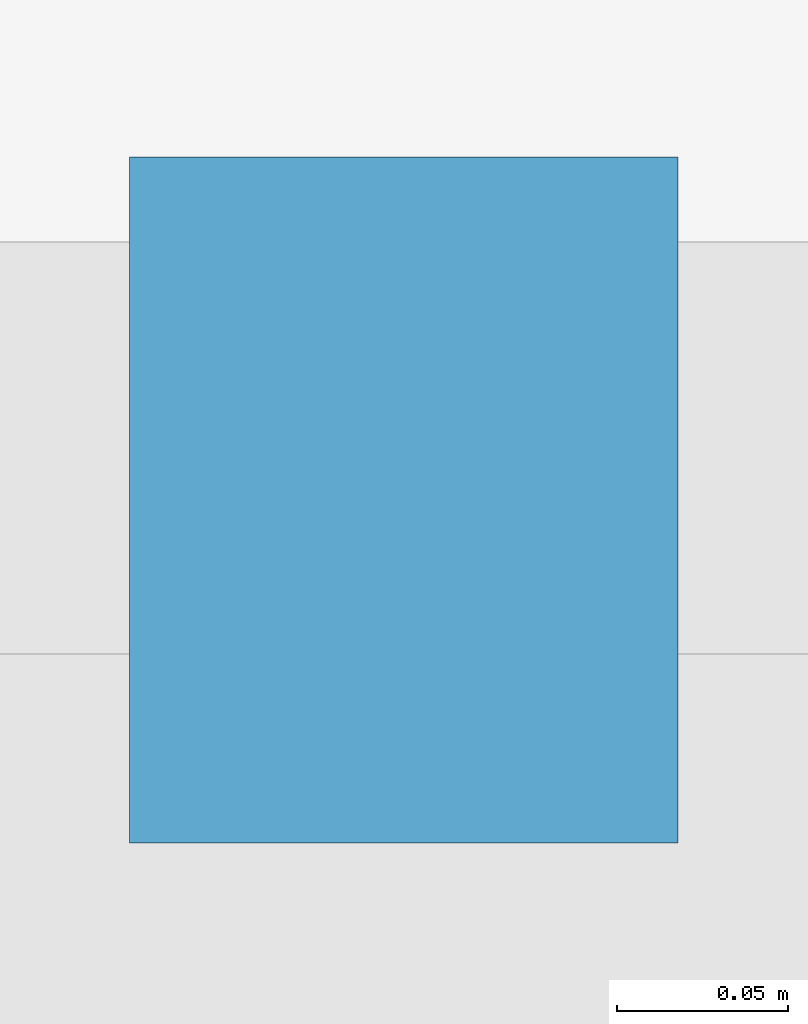
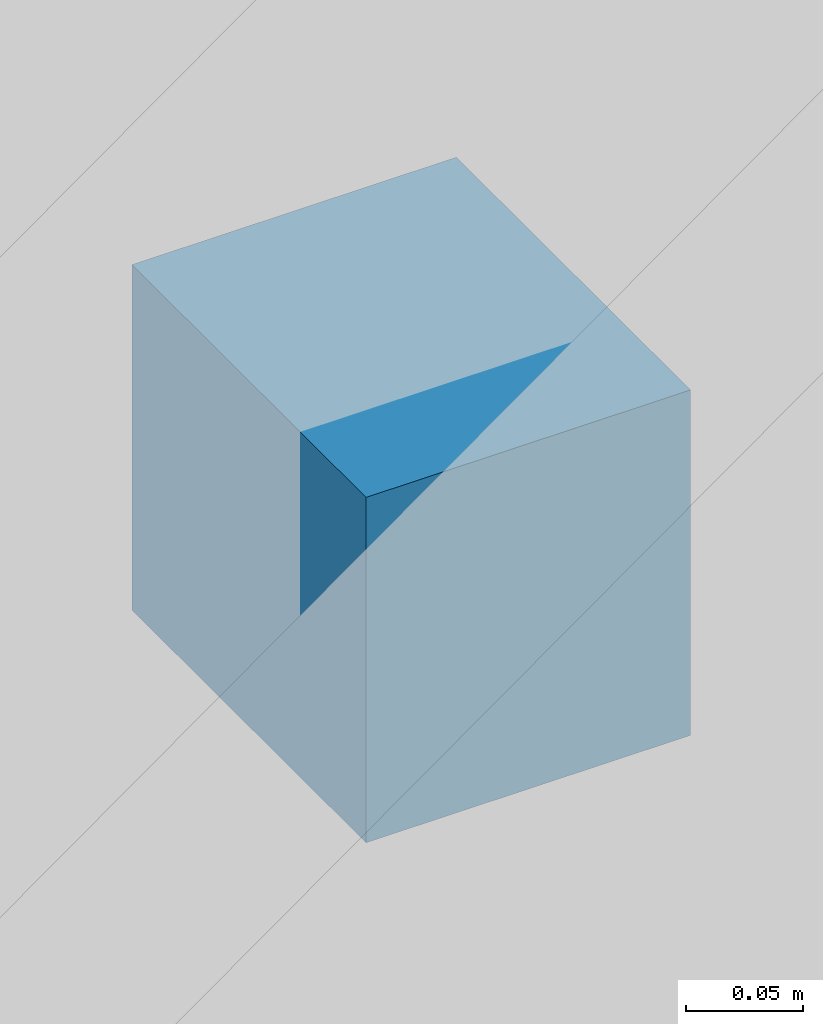
# One storey, part 19 of 24: 1 discrete accessory.
"""IFC4 building model written with IfcOpenShell, lengths in metres."""

from ifc_helpers import new_model, si_unit, direction, frame, origin, origin_2d, place, context, subcontext, project, spatial, rectangle, extrude, material, type_object, element, save


model = new_model("IFC4")

# Units and contexts
model_context = context("Model", 3, precision=1e-05, world=origin(), true_north=direction((0.0, 1.0)))
body_context = subcontext(model_context, "Body", "Model", "MODEL_VIEW")
ifc_project = project(units=[si_unit("LENGTHUNIT", "METRE"), si_unit("AREAUNIT", "SQUARE_METRE"), si_unit("VOLUMEUNIT", "CUBIC_METRE"), si_unit("PLANEANGLEUNIT", "RADIAN"), si_unit("MASSUNIT", "GRAM", prefix="KILO")], contexts=[model_context])

# Site, building, storey
site_placement = place(None, origin())
site = spatial("IfcSite", under=ifc_project, at=site_placement, CompositionType="ELEMENT")
building_placement = place(site_placement, origin())
building = spatial("IfcBuilding", under=site, at=building_placement, Name="Koriwani Terraces Tower", CompositionType="ELEMENT")
storey_placement = place(building_placement, frame((0.0, 0.0, 47.199951171875)))
storey = spatial("IfcBuildingStorey", under=building, at=storey_placement, Name="L10", CompositionType="ELEMENT", Elevation=47.199951171875)

# Discrete accessory
ifc_material = material(Name="Steel ASTM A572 Grade 50", Category="steel")
discrete_accessory_type = type_object("IfcDiscreteAccessoryType", Name="BAGUETTE_STANDOFF_BRACKET", PredefinedType="BRACKET", material=ifc_material)
discrete_accessory_placement = place(storey_placement, frame((79.800048828125, 0.389892578125, 1.68505859375), z_axis=(0.0, 0.0, 1.0), x_axis=(-1.0, 0.0, 0.0)))
element("IfcDiscreteAccessory", 1, at=discrete_accessory_placement, inside=storey, type_object=discrete_accessory_type, Name="L10 Terracotta Baguette Bracket (S-27)", PredefinedType="BRACKET", context=body_context, shape_type="SweptSolid", body=[
    extrude(rectangle(XDim=0.159912109375, YDim=0.199951171875, at=origin_2d()), origin(), (0.0, 0.0, 1.0), 0.179931640625),
])

save(model, "model.ifc")
